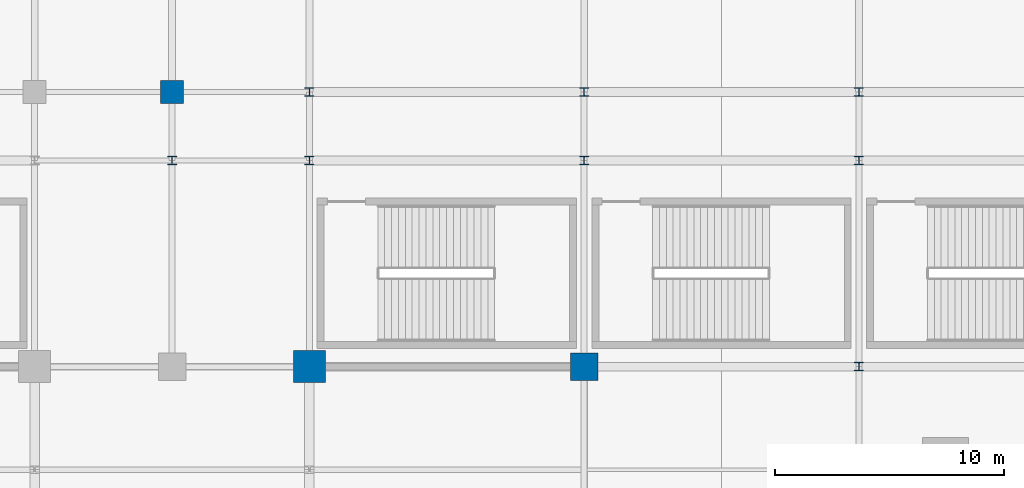
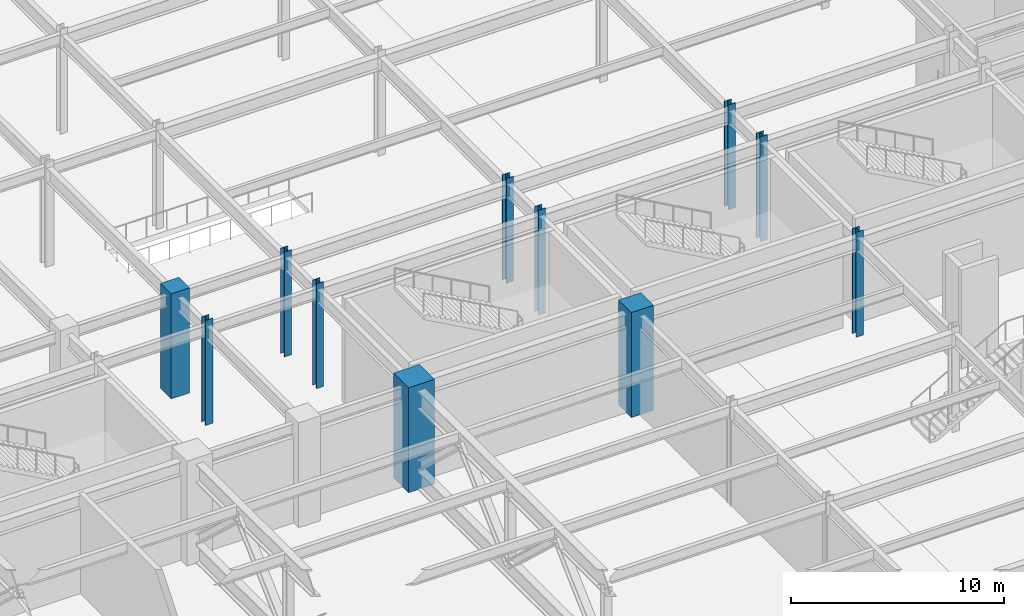
# One storey, part 11 of 108: 11 columns.
"""IFC4 building model written with IfcOpenShell, lengths in metres."""

from ifc_helpers import new_model, si_unit, direction, frame, origin, origin_2d, place, context, subcontext, project, spatial, rectangle, i_section, extrude, material, material_profile, profile_set, type_object, element, save


model = new_model("IFC4")

# Units and contexts
model_context = context("Model", 3, precision=1e-05, world=origin(), true_north=direction((0.0, 1.0)))
body_context = subcontext(model_context, "Body", "Model", "MODEL_VIEW")
ifc_project = project(units=[si_unit("LENGTHUNIT", "METRE"), si_unit("AREAUNIT", "SQUARE_METRE"), si_unit("VOLUMEUNIT", "CUBIC_METRE"), si_unit("PLANEANGLEUNIT", "RADIAN"), si_unit("MASSUNIT", "GRAM", prefix="KILO")], contexts=[model_context])

# Site, building, storey
site_placement = place(None, origin())
site = spatial("IfcSite", under=ifc_project, at=site_placement, CompositionType="ELEMENT")
building_placement = place(site_placement, origin())
building = spatial("IfcBuilding", under=site, at=building_placement, Name="Kaldorvane Square Convention Centre", CompositionType="ELEMENT")
storey_placement = place(building_placement, frame((0.0, 0.0, 12.0)))
storey = spatial("IfcBuildingStorey", under=building, at=storey_placement, Name="L02", CompositionType="ELEMENT", Elevation=12.0)

# Columns
ifc_material_1 = material(Name="Concrete f'c = 55 MPa (Normalweight)", Category="concrete")
ifc_material_profile_1 = material_profile(ifc_material_1, rectangle(XDim=1.1999969482421875, YDim=1.1999969482421875, at=origin_2d()), Name="RC1200X1200")
ifc_profile_set_1 = profile_set([ifc_material_profile_1], Name="Concrete f'c = 55 MPa (Normalweight)")
column_type_1 = type_object("IfcColumnType", Name="COL-MEGA-1200", PredefinedType="COLUMN", material=ifc_profile_set_1)
column_1_placement = place(storey_placement, frame((114.0, 72.0, 0.0), z_axis=(0.0, 0.0, 1.0), x_axis=(1.0, 0.0, 0.0)))
element("IfcColumn", 1, at=column_1_placement, inside=storey, type_object=column_type_1, Name="Column MC-02 (L02)", PredefinedType="COLUMN", context=body_context, shape_type="SweptSolid", body=[
    extrude(rectangle(XDim=1.1999969482421875, YDim=1.1999969482421875, at=origin_2d()), origin(), (0.0, 0.0, 1.0), 6.0),
])
ifc_material_profile_2 = material_profile(ifc_material_1, rectangle(XDim=1.399993896484375, YDim=1.399993896484375, at=origin_2d()), Name="RC1400X1400")
ifc_profile_set_2 = profile_set([ifc_material_profile_2], Name="Concrete f'c = 55 MPa (Normalweight)")
column_type_2 = type_object("IfcColumnType", Name="COL-MEGA-1400", PredefinedType="COLUMN", material=ifc_profile_set_2)
column_2_placement = place(storey_placement, frame((102.0, 72.0, 0.0), z_axis=(0.0, 0.0, 1.0), x_axis=(1.0, 0.0, 0.0)))
element("IfcColumn", 2, at=column_2_placement, inside=storey, type_object=column_type_2, Name="Column MC-01 (L02)", PredefinedType="COLUMN", context=body_context, shape_type="SweptSolid", body=[
    extrude(rectangle(XDim=1.399993896484375, YDim=1.399993896484375, at=origin_2d()), origin(), (0.0, 0.0, 1.0), 6.0),
])
ifc_material_profile_3 = material_profile(ifc_material_1, rectangle(XDim=1.0, YDim=1.0, at=origin_2d()), Name="RC1000X1000")
ifc_profile_set_3 = profile_set([ifc_material_profile_3], Name="Concrete f'c = 55 MPa (Normalweight)")
column_type_3 = type_object("IfcColumnType", Name="COL-RC-1000", PredefinedType="COLUMN", material=ifc_profile_set_3)
column_3_placement = place(storey_placement, frame((96.0, 84.0, 0.0), z_axis=(0.0, 0.0, 1.0), x_axis=(1.0, 0.0, 0.0)))
element("IfcColumn", 3, at=column_3_placement, inside=storey, type_object=column_type_3, Name="Column CC-02 (L02)", PredefinedType="COLUMN", context=body_context, shape_type="SweptSolid", body=[
    extrude(rectangle(XDim=1.0, YDim=1.0, at=origin_2d()), origin(), (0.0, 0.0, 1.0), 6.0),
])
ifc_material_2 = material(Name="Steel ASTM A992 Gr. 50", Category="steel")
ifc_material_profile_4 = material_profile(ifc_material_2, i_section(OverallWidth=0.393707275390625, OverallDepth=0.375396728515625, WebThickness=0.017303466796875, FlangeThickness=0.0276947021484375, FilletRadius=0.0305023193359375, at=origin_2d()), Name="W14X145")
ifc_profile_set_4 = profile_set([ifc_material_profile_4], Name="Steel ASTM A992 Gr. 50")
column_type_4 = type_object("IfcColumnType", Name="COL-STL-145", PredefinedType="COLUMN", material=ifc_profile_set_4)
for number, where, z_axis, x_axis, name in (
    (4, (96.0, 81.0, 0.0), (0.0, 0.0, 1.0), (1.0, 0.0, 0.0), "Column SC-10 (L02)"),
    (5, (102.0, 81.0, 0.0), (0.0, 0.0, 1.0), (1.0, 0.0, 0.0), "Column SC-10 (L02)"),
    (6, (102.0, 84.0, 0.0), (0.0, 0.0, 1.0), (1.0, 0.0, 0.0), "Column SC-10 (L02)"),
    (7, (114.0, 81.0, 0.0), (0.0, 0.0, 1.0), (1.0, 0.0, 0.0), "Column SC-10 (L02)"),
    (8, (114.0, 84.0, 0.0), (0.0, 0.0, 1.0), (1.0, 0.0, 0.0), "Column SC-10 (L02)"),
    (9, (126.0, 72.0, 0.0), (0.0, 0.0, 1.0), (1.0, 0.0, 0.0), "Column SC-10 (L02)"),
    (10, (126.0, 81.0, 0.0), (0.0, 0.0, 1.0), (1.0, 0.0, 0.0), "Column SC-10 (L02)"),
    (11, (126.0, 84.0, 0.0), (0.0, 0.0, 1.0), (1.0, 0.0, 0.0), "Column SC-10 (L02)"),
):
    element("IfcColumn", number, at=place(storey_placement, frame(where, z_axis=z_axis, x_axis=x_axis)), inside=storey, type_object=column_type_4, Name=name, PredefinedType="COLUMN", context=body_context, shape_type="SweptSolid", body=[
        extrude(i_section(OverallWidth=0.393707275390625, OverallDepth=0.375396728515625, WebThickness=0.017303466796875, FlangeThickness=0.0276947021484375, FilletRadius=0.0305023193359375, at=origin_2d()), origin(), (0.0, 0.0, 1.0), 6.0),
    ])

save(model, "model.ifc")
